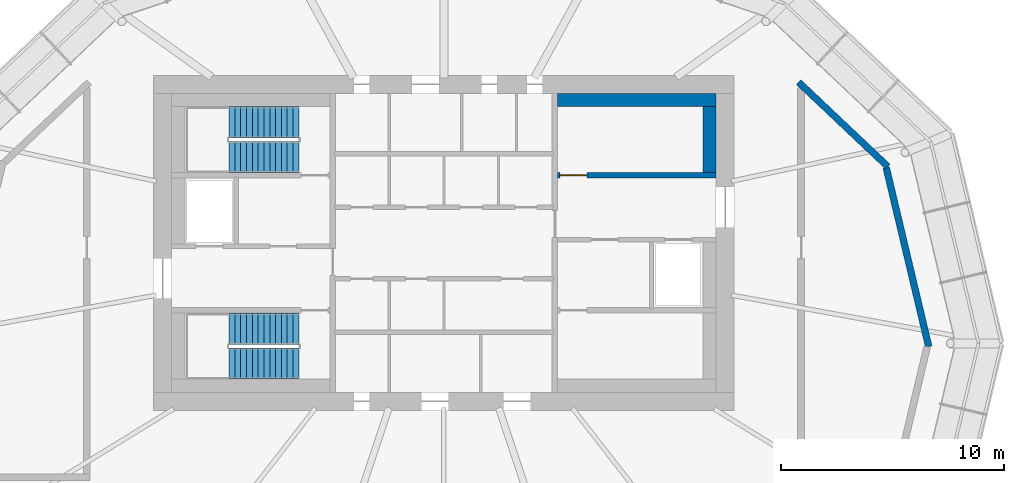
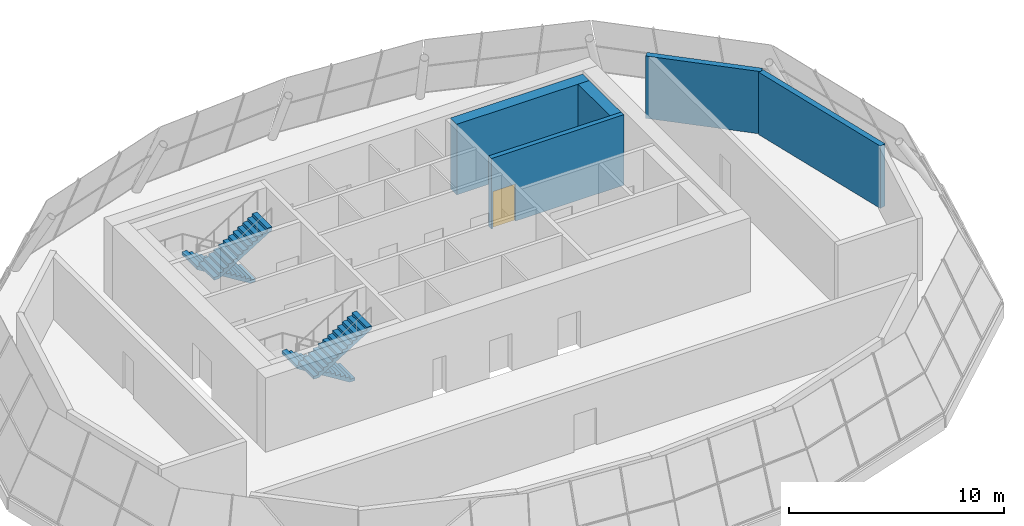
# One storey, part 7 of 8: 5 walls, 4 stair flights, 1 door, 1 opening, 2 elements without a shape of their own.
"""IFC4 building model written with IfcOpenShell, lengths in metres."""

import ifcopenshell
import ifcopenshell.guid

model = None  # the IFC model being written
_history = None  # IfcOwnerHistory: only IFC2X3 demands one
_inside = {}  # id of a spatial element -> (the spatial element, [elements in it])
_under = {}  # id of a project, library or spatial element -> (it, [spatial elements below it])
_declared = {}  # id of a project -> (the project, [libraries it declares])
_typed = {}  # id of a type object -> (the type object, [elements of that type])
_made_of = {}  # id of a material, layer set ... -> (it, [elements and type objects made of it])


def new_model(schema):
    """Start an empty IFC model of exactly this schema.

    Asked for "IFC4X3", IfcOpenShell would pick the latest addendum, in which some entities
    have other attributes; the version numbers below select the first issue.
    IFC2X3 requires an IfcOwnerHistory on every rooted entity: one is made here for all.
    """
    global model, _history
    if schema == "IFC4X3":
        model = ifcopenshell.file(schema_version=(4, 3, 0, 0))
    else:
        model = ifcopenshell.file(schema=schema)
    _inside.clear()
    _under.clear()
    _declared.clear()
    _typed.clear()
    _made_of.clear()
    _history = None
    if model.schema == "IFC2X3":
        org = make("IfcOrganization", Name="unknown")
        user = make(
            "IfcPersonAndOrganization",
            ThePerson=make("IfcPerson", FamilyName="unknown"),
            TheOrganization=org,
        )
        app = make(
            "IfcApplication",
            ApplicationDeveloper=org,
            Version="unknown",
            ApplicationFullName="unknown",
            ApplicationIdentifier="unknown",
        )
        _history = make(
            "IfcOwnerHistory",
            OwningUser=user,
            OwningApplication=app,
            ChangeAction="ADDED",
            CreationDate=0,
        )
    return model


def make(cls, **values):
    """One entity of the class cls with the attributes given. An attribute that is None is left unset."""
    return model.create_entity(
        cls, **{name: value for name, value in values.items() if value is not None}
    )


def rooted(cls, **values):
    """An entity with a GlobalId (a new one), such as an element, a storey or a relation."""
    return make(cls, GlobalId=ifcopenshell.guid.new(), OwnerHistory=_history, **values)


def si_unit(unit_type, name, prefix=None):
    """IfcSIUnit, for example si_unit("LENGTHUNIT", "METRE", prefix="MILLI")."""
    return make("IfcSIUnit", UnitType=unit_type, Prefix=prefix, Name=name)


def assignment(units):
    """IfcUnitAssignment: the units of a project."""
    return None if units is None else make("IfcUnitAssignment", Units=units)


def point(xyz):
    """IfcCartesianPoint."""
    return None if xyz is None else make("IfcCartesianPoint", Coordinates=xyz)


def direction(xyz):
    """IfcDirection."""
    return None if xyz is None else make("IfcDirection", DirectionRatios=xyz)


def frame(location, z_axis=None, x_axis=None):
    """IfcAxis2Placement3D, a coordinate frame: its origin and axes. An axis left out is left unset."""
    return make(
        "IfcAxis2Placement3D",
        Location=point(location),
        Axis=direction(z_axis),
        RefDirection=direction(x_axis),
    )


def frame_2d(location, x_axis=None):
    """IfcAxis2Placement2D, a coordinate frame in the plane: its origin and x axis."""
    return make(
        "IfcAxis2Placement2D", Location=point(location), RefDirection=direction(x_axis)
    )


def origin():
    """The frame at (0, 0, 0) with its axes left unset."""
    return frame((0.0, 0.0, 0.0))


def place(relative_to, where):
    """IfcLocalPlacement: puts the frame where relative to a parent placement (None: the world)."""
    return make(
        "IfcLocalPlacement", PlacementRelTo=relative_to, RelativePlacement=where
    )


def context(
    kind, dimensions, precision=None, world=None, true_north=None, identifier=None
):
    """IfcGeometricRepresentationContext, for example the 3D "Model" context."""
    return make(
        "IfcGeometricRepresentationContext",
        ContextIdentifier=identifier,
        ContextType=kind,
        CoordinateSpaceDimension=dimensions,
        Precision=precision,
        WorldCoordinateSystem=world,
        TrueNorth=true_north,
    )


def subcontext(parent, identifier, kind, view, scale=None):
    """IfcGeometricRepresentationSubContext, for example "Body" below "Model"."""
    return make(
        "IfcGeometricRepresentationSubContext",
        ContextIdentifier=identifier,
        ContextType=kind,
        ParentContext=parent,
        TargetScale=scale,
        TargetView=view,
    )


def project(units=None, contexts=None):
    """IfcProject with its units and contexts."""
    return rooted(
        "IfcProject",
        Name="project",
        RepresentationContexts=contexts,
        UnitsInContext=assignment(units),
    )


def spatial(cls, under=None, at=None, **own):
    """A site, building, storey or space (cls), placed at a placement, below another one or the project."""
    s = rooted(cls, ObjectPlacement=at, **own)
    if under is not None:
        _under.setdefault(under.id(), (under, []))[1].append(s)
    return s


def polyline(points):
    """IfcPolyline through the points."""
    return make("IfcPolyline", Points=[point(p) for p in points])


def profile(cls, at=None, kind="AREA", **sizes):
    """A parametric profile (cls). Its sizes go by their IFC names, for example OverallWidth=200.0."""
    return make(cls, ProfileType=kind, Position=at, **sizes)


def rectangle(**sizes):
    """IfcRectangleProfileDef."""
    return profile("IfcRectangleProfileDef", **sizes)


def outline(outer, holes=None, kind="AREA"):
    """IfcArbitraryClosedProfileDef: a profile drawn as a closed curve; with holes, ...WithVoids."""
    if holes is None:
        return make("IfcArbitraryClosedProfileDef", ProfileType=kind, OuterCurve=outer)
    return make(
        "IfcArbitraryProfileDefWithVoids",
        ProfileType=kind,
        OuterCurve=outer,
        InnerCurves=holes,
    )


def extrude(swept, where, along, depth):
    """IfcExtrudedAreaSolid: the profile swept, set in the frame where, extruded along a direction by depth."""
    return make(
        "IfcExtrudedAreaSolid",
        SweptArea=swept,
        Position=where,
        ExtrudedDirection=direction(along),
        Depth=depth,
    )


def shape(context_of_items, identifier, shape_type, items):
    """IfcShapeRepresentation: the items that make up one representation, for example the "Body"."""
    return make(
        "IfcShapeRepresentation",
        ContextOfItems=context_of_items,
        RepresentationIdentifier=identifier,
        RepresentationType=shape_type,
        Items=items,
    )


def material(Name=None, Category=None):
    """IfcMaterial."""
    return make("IfcMaterial", Name=Name, Category=Category)


def layer(
    of_material, thickness, ventilated=None, Name=None, Category=None, Priority=None
):
    """IfcMaterialLayer: one layer of a wall or slab, of a material (None: an air gap)."""
    return make(
        "IfcMaterialLayer",
        Material=of_material,
        LayerThickness=thickness,
        IsVentilated=ventilated,
        Name=Name,
        Category=Category,
        Priority=Priority,
    )


def layer_set(layers, Name=None):
    """IfcMaterialLayerSet."""
    return make("IfcMaterialLayerSet", MaterialLayers=layers, LayerSetName=Name)


def made_of(thing, what):
    """Note that an element or type object is made of a material, layer set ...; save() writes the relation."""
    if what is not None:
        _made_of.setdefault(what.id(), (what, []))[1].append(thing)
    return thing


def type_object(cls, material=None, **own):
    """A type object (cls), such as IfcWallType, which elements share."""
    return made_of(rooted(cls, **own), material)


def element(
    cls,
    number,
    at=None,
    inside=None,
    cuts=None,
    type_object=None,
    material=None,
    context=None,
    identifier="Body",
    shape_type=None,
    held_by="IfcProductDefinitionShape",
    body=None,
    shapes=None,
    **own,
):
    """One element of the class cls, such as IfcWall. Its Tag is "e" and its number.

    at: its placement. inside: the storey or other place that contains it. cuts: it is an
    opening in that element (IfcRelVoidsElement). A single representation is given by context,
    identifier, shape_type and body (its items); several are given by shapes. held_by: the class
    of the entity that holds the representations. save() writes the other relations.
    """
    e = rooted(cls, Tag="e%d" % number, ObjectPlacement=at, **own)
    if body is not None:
        shapes = [shape(context, identifier, shape_type, body)]
    if shapes is not None:
        e.Representation = make(held_by, Representations=shapes)
    if inside is not None:
        _inside.setdefault(inside.id(), (inside, []))[1].append(e)
    if cuts is not None:
        rooted(
            "IfcRelVoidsElement", RelatingBuildingElement=cuts, RelatedOpeningElement=e
        )
    if type_object is not None:
        _typed.setdefault(type_object.id(), (type_object, []))[1].append(e)
    return made_of(e, material)


def fill(opening, filler):
    """IfcRelFillsElement: the door or window that sits in an opening."""
    return rooted(
        "IfcRelFillsElement",
        RelatingOpeningElement=opening,
        RelatedBuildingElement=filler,
    )


def aggregate(whole, parts):
    """IfcRelAggregates: a whole, such as a stair, and the parts it consists of."""
    return rooted("IfcRelAggregates", RelatingObject=whole, RelatedObjects=parts)


def save(model, path):
    """Write the relations noted so far, then the file.

    IfcRelAggregates (storeys below a building ...), IfcRelContainedInSpatialStructure (elements
    in a storey), IfcRelDefinesByType, IfcRelAssociatesMaterial and IfcRelDeclares: one each for
    every whole, place, type object, material and project.
    """
    for whole, parts in _under.values():
        aggregate(whole, parts)
    for where, things in _inside.values():
        rooted(
            "IfcRelContainedInSpatialStructure",
            RelatedElements=things,
            RelatingStructure=where,
        )
    for kind, things in _typed.values():
        rooted("IfcRelDefinesByType", RelatedObjects=things, RelatingType=kind)
    for what, things in _made_of.values():
        rooted("IfcRelAssociatesMaterial", RelatedObjects=things, RelatingMaterial=what)
    for by, libraries in _declared.values():
        rooted("IfcRelDeclares", RelatingContext=by, RelatedDefinitions=libraries)
    model.write(path)


model = new_model("IFC4")

# Units and contexts
model_context = context("Model", 3, precision=1e-05, world=origin(), true_north=direction((0.0, 1.0)))
body_context = subcontext(model_context, "Body", "Model", "MODEL_VIEW")
ifc_project = project(units=[si_unit("LENGTHUNIT", "METRE"), si_unit("AREAUNIT", "SQUARE_METRE"), si_unit("VOLUMEUNIT", "CUBIC_METRE"), si_unit("PLANEANGLEUNIT", "RADIAN"), si_unit("MASSUNIT", "GRAM", prefix="KILO")], contexts=[model_context])

# Site, building, storey
site_placement = place(None, origin())
site = spatial("IfcSite", under=ifc_project, at=site_placement, CompositionType="ELEMENT")
building_placement = place(site_placement, origin())
building = spatial("IfcBuilding", under=site, at=building_placement, Name="Rubra Terraces Tower", CompositionType="ELEMENT")
storey_placement = place(building_placement, frame((0.0, 0.0, 312.0)))
storey = spatial("IfcBuildingStorey", under=building, at=storey_placement, Name="L77", CompositionType="ELEMENT", Elevation=312.0)

# Walls
ifc_material_1 = material(Name="Concrete C40", Category="concrete")
ifc_layer_1 = layer(ifc_material_1, 0.60009765625)
ifc_layer_set_1 = layer_set([ifc_layer_1], Name="Concrete C40")
wall_type_1 = type_object("IfcWallType", Name="Core lining wall 600 concrete", PredefinedType="SOLIDWALL", material=ifc_layer_set_1)
wall_1_placement = place(storey_placement, frame((12.199951171875, 10.89990234375, 0.0), z_axis=(0.0, 0.0, 1.0), x_axis=(-1.0, 0.0, 0.0)))
element("IfcWall", 1, at=wall_1_placement, inside=storey, type_object=wall_type_1, Name="CORE LINING WALL L77", PredefinedType="SOLIDWALL", context=body_context, shape_type="SweptSolid", body=[
    extrude(rectangle(XDim=7.099853515625, YDim=0.60009765625, at=frame_2d((3.5498046875, 0.0))), origin(), (0.0, 0.0, 1.0), 4.0),
])
wall_2_placement = place(storey_placement, frame((11.89990234375, 10.60009765625, 0.0), z_axis=(0.0, 0.0, 1.0), x_axis=(0.0, -1.0, 0.0)))
element("IfcWall", 2, at=wall_2_placement, inside=storey, type_object=wall_type_1, Name="CORE LINING WALL L77", PredefinedType="SOLIDWALL", context=body_context, shape_type="SweptSolid", body=[
    extrude(rectangle(XDim=2.9501953125, YDim=0.60009765625, at=frame_2d((1.47509765625, 0.0))), origin(), (0.0, 0.0, 1.0), 4.0),
])
ifc_material_2 = material(Name="Blockwork", Category="masonry")
ifc_layer_2 = layer(ifc_material_2, 0.300048828125)
ifc_layer_set_2 = layer_set([ifc_layer_2], Name="Blockwork")
wall_type_2 = type_object("IfcWallType", Name="Plant wall 300 blockwork", PredefinedType="SOLIDWALL", material=ifc_layer_set_2)
wall_3_placement = place(storey_placement, frame((15.89111328125, 11.695068359375, 0.0), z_axis=(0.0, 0.0, 1.0), x_axis=(0.726531870531, -0.687132768178, 0.0)))
element("IfcWall", 3, at=wall_3_placement, inside=storey, type_object=wall_type_2, Name="Plant room wall", PredefinedType="SOLIDWALL", context=body_context, shape_type="SweptSolid", body=[
    extrude(rectangle(XDim=5.502685546875, YDim=0.300048828125, at=frame_2d((2.75146484375, 0.0))), origin(), (0.0, 0.0, 1.0), 3.533935546875),
])
wall_4_placement = place(storey_placement, frame((19.81494140625, 7.87109375, 0.0), z_axis=(0.0, 0.0, 1.0), x_axis=(0.231071729636, -0.972936717245, 0.0)))
element("IfcWall", 4, at=wall_4_placement, inside=storey, type_object=wall_type_2, Name="Plant room wall", PredefinedType="SOLIDWALL", context=body_context, shape_type="SweptSolid", body=[
    extrude(rectangle(XDim=8.239990234375, YDim=0.300048828125, at=frame_2d((4.1201171875, 0.0))), origin(), (0.0, 0.0, 1.0), 3.533935546875),
])

# Wall, opening, door
ifc_layer_3 = layer(ifc_material_1, 0.25)
ifc_layer_set_3 = layer_set([ifc_layer_3], Name="Concrete C40")
wall_type_3 = type_object("IfcWallType", Name="Stair enclosure wall 250 concrete", PredefinedType="SOLIDWALL", material=ifc_layer_set_3)
wall_5_placement = place(storey_placement, frame((12.199951171875, 7.52490234375, 0.0), z_axis=(0.0, 0.0, 1.0), x_axis=(-1.0, 0.0, 0.0)))
wall_5 = element("IfcWall", 5, at=wall_5_placement, inside=storey, type_object=wall_type_3, Name="STAIR WALL L77", PredefinedType="SOLIDWALL", context=body_context, shape_type="SweptSolid", body=[
    extrude(rectangle(XDim=7.099853515625, YDim=0.25, at=frame_2d((3.5498046875, 0.0))), origin(), (0.0, 0.0, 1.0), 4.0),
])
opening_placement = place(wall_5_placement, frame((5.800048828125, 0.0, 0.0)))
opening = element("IfcOpeningElement", 6, at=opening_placement, cuts=wall_5, Name="Opening L77.C08", PredefinedType="OPENING", context=body_context, shape_type="SweptSolid", body=[
    extrude(rectangle(XDim=1.199951171875, YDim=2.10009765625, at=frame_2d((0.60009765625, 1.050048828125))), frame((0.0, 0.135009765625, 0.0), z_axis=(0.0, -1.0, 0.0), x_axis=(1.0, 0.0, 0.0)), (0.0, 0.0, 1.0), 0.27001953125),
])
ifc_material_3 = material(Name="Painted steel", Category="steel")
door_type = type_object("IfcDoorType", Name="Fire door 1200x2100 single", OperationType="NOTDEFINED", PredefinedType="DOOR", material=ifc_material_3)
door_placement = place(opening_placement, origin())
door = element("IfcDoor", 7, at=door_placement, inside=storey, type_object=door_type, Name="Plant room door", OperationType="SINGLE_SWING_RIGHT", OverallHeight=2.10009765625, OverallWidth=1.199951171875, PredefinedType="DOOR", context=body_context, shape_type="SweptSolid", body=[
    extrude(rectangle(XDim=1.199951171875, YDim=2.10009765625, at=frame_2d((0.60009765625, 1.050048828125))), frame((0.0, 0.02490234375, 0.0), z_axis=(0.0, -1.0, 0.0), x_axis=(1.0, 0.0, 0.0)), (0.0, 0.0, 1.0), 0.050048828125),
])
fill(opening, door)

# Stair, stair flights
stair_type = type_object("IfcStairType", Name="Core stair 1400", PredefinedType="HALF_TURN_STAIR", material=ifc_material_1)
stair_1_placement = place(storey_placement, origin())
stair_1 = element("IfcStair", 8, at=stair_1_placement, inside=storey, type_object=stair_type, Name="L77 Exit stair S1", PredefinedType="HALF_TURN_STAIR")
stair_flight_type = type_object("IfcStairFlightType", Name="Core stair flight 1400", PredefinedType="STRAIGHT", material=ifc_material_1)
stair_flight_1_placement = place(storey_placement, frame((-6.5, 0.64990234375, 0.0), z_axis=(0.0, 0.0, 1.0), x_axis=(-1.0, 0.0, 0.0)))
stair_flight_1 = element("IfcStairFlight", 9, at=stair_flight_1_placement, type_object=stair_flight_type, Name="S1 flight 1", NumberOfRisers=13, NumberOfTreads=12, PredefinedType="STRAIGHT", RiserHeight=0.161538462, TreadLength=0.26, context=body_context, shape_type="SweptSolid", body=[
    extrude(outline(polyline([(0.0, 0.0), (0.0, 0.16162109375), (0.260009765625, 0.16162109375), (0.260009765625, 0.322998046875), (0.52001953125, 0.322998046875), (0.52001953125, 0.484619140625), (0.780029296875, 0.484619140625), (0.780029296875, 0.646240234375), (1.0400390625, 0.646240234375), (1.0400390625, 0.8076171875), (1.300048828125, 0.8076171875), (1.300048828125, 0.96923828125), (1.56005859375, 0.96923828125), (1.56005859375, 1.130859375), (1.820068359375, 1.130859375), (1.820068359375, 1.292236328125), (2.080078125, 1.292236328125), (2.080078125, 1.453857421875), (2.340087890625, 1.453857421875), (2.340087890625, 1.615478515625), (2.60009765625, 1.615478515625), (2.60009765625, 1.77685546875), (2.860107421875, 1.77685546875), (2.860107421875, 1.9384765625), (3.1201171875, 1.9384765625), (3.1201171875, 2.10009765625), (3.1201171875, 1.761962890625), (0.283935546875, 0.0), (0.0, 0.0)])), frame((0.0, 0.699951171875, 0.0), z_axis=(0.0, -1.0, 0.0), x_axis=(1.0, 0.0, 0.0)), (0.0, 0.0, 1.0), 1.39990234375),
])
stair_flight_2_placement = place(storey_placement, frame((-9.6201171875, -0.89990234375, 2.10009765625), z_axis=(0.0, 0.0, 1.0), x_axis=(1.0, 0.0, 0.0)))
stair_flight_2 = element("IfcStairFlight", 10, at=stair_flight_2_placement, type_object=stair_flight_type, Name="S1 flight 2", NumberOfRisers=13, NumberOfTreads=12, PredefinedType="STRAIGHT", RiserHeight=0.161538462, TreadLength=0.26, context=body_context, shape_type="SweptSolid", body=[
    extrude(outline(polyline([(0.0, 0.0), (0.0, 0.16162109375), (0.260009765625, 0.16162109375), (0.260009765625, 0.322998046875), (0.52001953125, 0.322998046875), (0.52001953125, 0.484619140625), (0.780029296875, 0.484619140625), (0.780029296875, 0.646240234375), (1.0400390625, 0.646240234375), (1.0400390625, 0.8076171875), (1.300048828125, 0.8076171875), (1.300048828125, 0.96923828125), (1.56005859375, 0.96923828125), (1.56005859375, 1.130859375), (1.820068359375, 1.130859375), (1.820068359375, 1.292236328125), (2.080078125, 1.292236328125), (2.080078125, 1.453857421875), (2.340087890625, 1.453857421875), (2.340087890625, 1.615478515625), (2.60009765625, 1.615478515625), (2.60009765625, 1.77685546875), (2.860107421875, 1.77685546875), (2.860107421875, 1.9384765625), (3.1201171875, 1.9384765625), (3.1201171875, 2.10009765625), (3.1201171875, 1.761962890625), (0.283935546875, 0.0), (0.0, 0.0)])), frame((0.0, 0.699951171875, 0.0), z_axis=(0.0, -1.0, 0.0), x_axis=(1.0, 0.0, 0.0)), (0.0, 0.0, 1.0), 1.39990234375),
])
aggregate(stair_1, [stair_flight_1, stair_flight_2])

stair_2_placement = place(storey_placement, origin())
stair_2 = element("IfcStair", 11, at=stair_2_placement, inside=storey, type_object=stair_type, Name="L77 Exit stair S2", PredefinedType="HALF_TURN_STAIR")
stair_flight_3_placement = place(storey_placement, frame((-6.5, 9.89990234375, 0.0), z_axis=(0.0, 0.0, 1.0), x_axis=(-1.0, 0.0, 0.0)))
stair_flight_3 = element("IfcStairFlight", 12, at=stair_flight_3_placement, type_object=stair_flight_type, Name="S2 flight 1", NumberOfRisers=13, NumberOfTreads=12, PredefinedType="STRAIGHT", RiserHeight=0.161538462, TreadLength=0.26, context=body_context, shape_type="SweptSolid", body=[
    extrude(outline(polyline([(0.0, 0.0), (0.0, 0.16162109375), (0.260009765625, 0.16162109375), (0.260009765625, 0.322998046875), (0.52001953125, 0.322998046875), (0.52001953125, 0.484619140625), (0.780029296875, 0.484619140625), (0.780029296875, 0.646240234375), (1.0400390625, 0.646240234375), (1.0400390625, 0.8076171875), (1.300048828125, 0.8076171875), (1.300048828125, 0.96923828125), (1.56005859375, 0.96923828125), (1.56005859375, 1.130859375), (1.820068359375, 1.130859375), (1.820068359375, 1.292236328125), (2.080078125, 1.292236328125), (2.080078125, 1.453857421875), (2.340087890625, 1.453857421875), (2.340087890625, 1.615478515625), (2.60009765625, 1.615478515625), (2.60009765625, 1.77685546875), (2.860107421875, 1.77685546875), (2.860107421875, 1.9384765625), (3.1201171875, 1.9384765625), (3.1201171875, 2.10009765625), (3.1201171875, 1.761962890625), (0.283935546875, 0.0), (0.0, 0.0)])), frame((0.0, 0.699951171875, 0.0), z_axis=(0.0, -1.0, 0.0), x_axis=(1.0, 0.0, 0.0)), (0.0, 0.0, 1.0), 1.39990234375),
])
stair_flight_4_placement = place(storey_placement, frame((-9.6201171875, 8.35009765625, 2.10009765625), z_axis=(0.0, 0.0, 1.0), x_axis=(1.0, 0.0, 0.0)))
stair_flight_4 = element("IfcStairFlight", 13, at=stair_flight_4_placement, type_object=stair_flight_type, Name="S2 flight 2", NumberOfRisers=13, NumberOfTreads=12, PredefinedType="STRAIGHT", RiserHeight=0.161538462, TreadLength=0.26, context=body_context, shape_type="SweptSolid", body=[
    extrude(outline(polyline([(0.0, 0.0), (0.0, 0.16162109375), (0.260009765625, 0.16162109375), (0.260009765625, 0.322998046875), (0.52001953125, 0.322998046875), (0.52001953125, 0.484619140625), (0.780029296875, 0.484619140625), (0.780029296875, 0.646240234375), (1.0400390625, 0.646240234375), (1.0400390625, 0.8076171875), (1.300048828125, 0.8076171875), (1.300048828125, 0.96923828125), (1.56005859375, 0.96923828125), (1.56005859375, 1.130859375), (1.820068359375, 1.130859375), (1.820068359375, 1.292236328125), (2.080078125, 1.292236328125), (2.080078125, 1.453857421875), (2.340087890625, 1.453857421875), (2.340087890625, 1.615478515625), (2.60009765625, 1.615478515625), (2.60009765625, 1.77685546875), (2.860107421875, 1.77685546875), (2.860107421875, 1.9384765625), (3.1201171875, 1.9384765625), (3.1201171875, 2.10009765625), (3.1201171875, 1.761962890625), (0.283935546875, 0.0), (0.0, 0.0)])), frame((0.0, 0.699951171875, 0.0), z_axis=(0.0, -1.0, 0.0), x_axis=(1.0, 0.0, 0.0)), (0.0, 0.0, 1.0), 1.39990234375),
])
aggregate(stair_2, [stair_flight_3, stair_flight_4])

save(model, "model.ifc")
